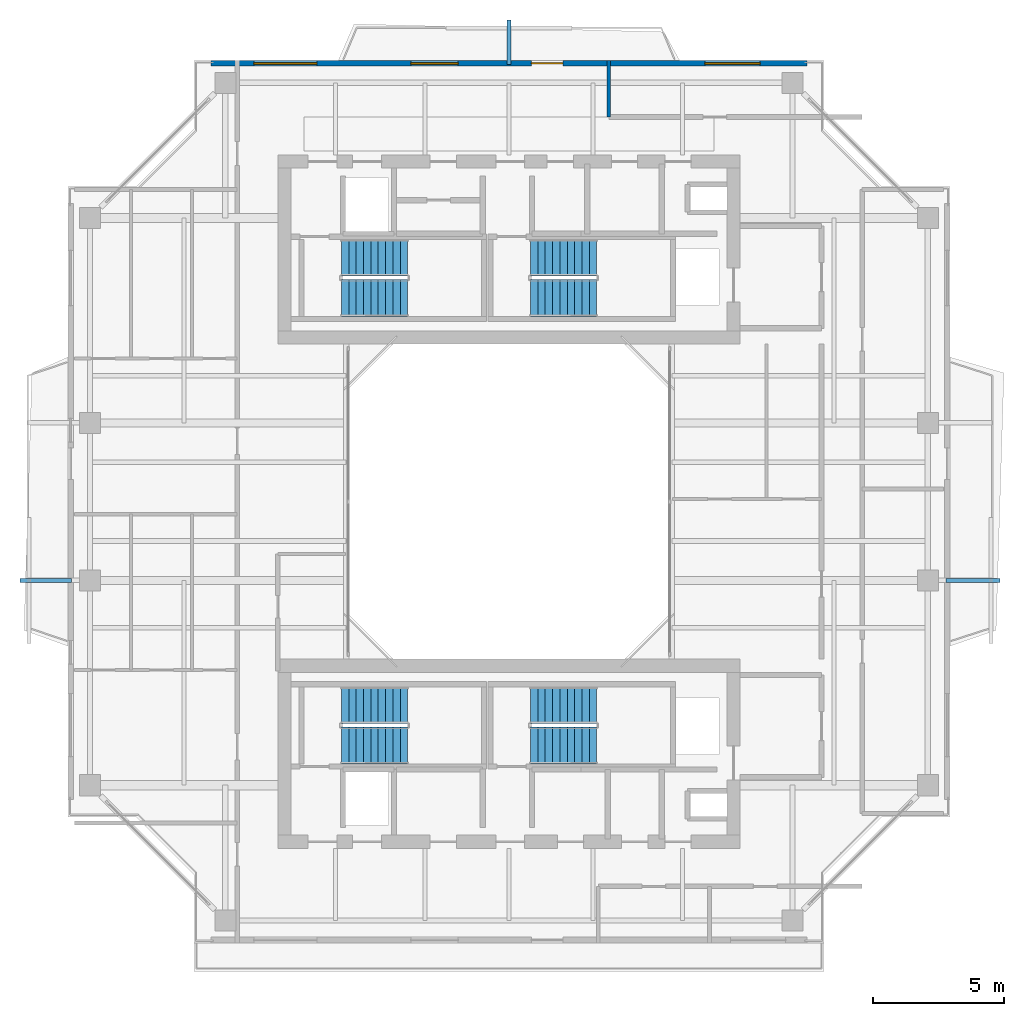
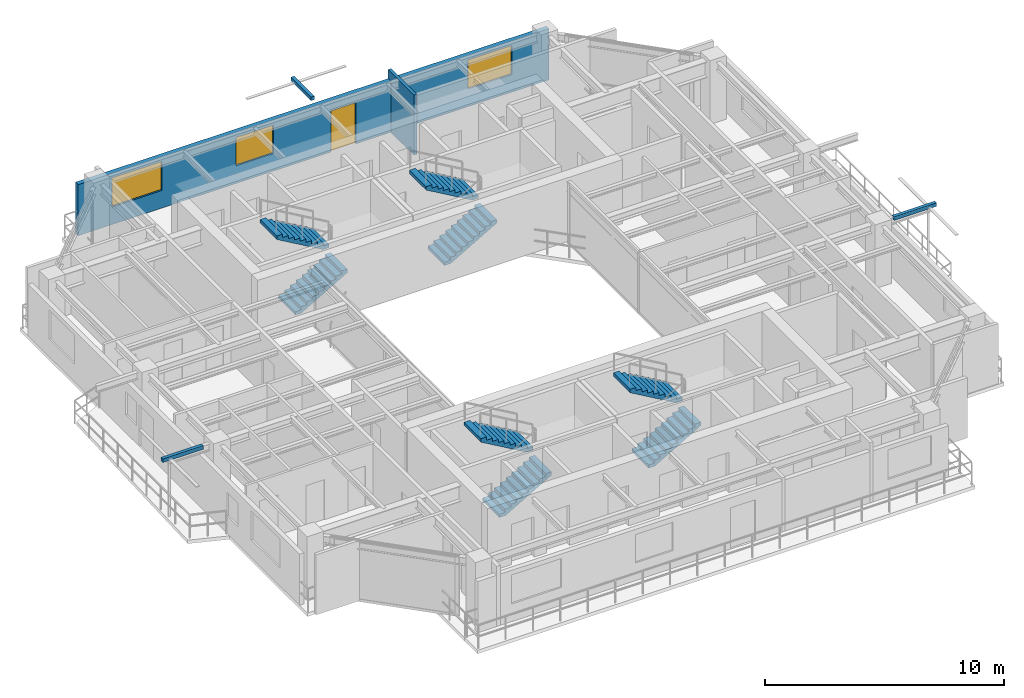
# One storey, part 13 of 16: 8 stair flights, 3 discrete accessories, 3 windows, 2 walls, 1 door, 4 openings, 4 elements without a shape of their own.
"""IFC4 building model written with IfcOpenShell, lengths in metres."""

from ifc_helpers import new_model, si_unit, direction, frame, frame_2d, origin, origin_2d, place, context, subcontext, project, spatial, polyline, rectangle, outline, extrude, source, transform, mapped, material, layer, layer_set, type_object, element, fill, aggregate, save


model = new_model("IFC4")

# Units and contexts
model_context = context("Model", 3, precision=1e-05, world=origin(), true_north=direction((0.0, 1.0)))
body_context = subcontext(model_context, "Body", "Model", "MODEL_VIEW")
ifc_project = project(units=[si_unit("LENGTHUNIT", "METRE"), si_unit("AREAUNIT", "SQUARE_METRE"), si_unit("VOLUMEUNIT", "CUBIC_METRE"), si_unit("PLANEANGLEUNIT", "RADIAN"), si_unit("MASSUNIT", "GRAM", prefix="KILO"), si_unit("THERMODYNAMICTEMPERATUREUNIT", "KELVIN"), si_unit("POWERUNIT", "WATT")], contexts=[model_context])

# Site, building, storey
site_placement = place(None, origin())
site = spatial("IfcSite", under=ifc_project, at=site_placement, CompositionType="ELEMENT")
building_placement = place(site_placement, origin())
building = spatial("IfcBuilding", under=site, at=building_placement, Name="Qiaomeng Ring Towers", CompositionType="ELEMENT")
storey_placement = place(building_placement, frame((0.0, 0.0, 190.5)))
storey = spatial("IfcBuildingStorey", under=building, at=storey_placement, Name="L55", CompositionType="ELEMENT", Elevation=190.5)

# Wall, openings, windows, door
ifc_material_1 = material(Name="Precast concrete C40", Category="concrete")
ifc_layer_1 = layer(ifc_material_1, 0.219970703125, Name="Precast concrete C40")
ifc_layer_set_1 = layer_set([ifc_layer_1], Name="Precast concrete C40")
wall_type_1 = type_object("IfcWallType", Name="ARC-WL-EW2", PredefinedType="STANDARD", material=ifc_layer_set_1)
wall_1_placement = place(storey_placement, frame((7.64990234375, 39.68994140625, 0.0), z_axis=(0.0, 0.0, 1.0), x_axis=(1.0, 0.0, 0.0)))
wall_1 = element("IfcWall", 1, at=wall_1_placement, inside=storey, type_object=wall_type_1, Name="L55 Tower 1 N Exterior Wall", PredefinedType="STANDARD", context=body_context, shape_type="SweptSolid", body=[
    extrude(rectangle(XDim=22.7001953125, YDim=0.219970703125, at=frame_2d((11.35009765625, 0.0))), origin(), (0.0, 0.0, 1.0), 2.610107421875),
])
opening_1_placement = place(wall_1_placement, frame((12.199951171875, 0.0, 0.0)))
opening_1 = element("IfcOpeningElement", 2, at=opening_1_placement, cuts=wall_1, Name="Opening BD1", PredefinedType="OPENING", context=body_context, shape_type="SweptSolid", body=[
    extrude(rectangle(XDim=1.199951171875, YDim=2.10009765625, at=frame_2d((0.60009765625, 1.050048828125))), frame((0.0, 0.119873046875, 0.0), z_axis=(0.0, -1.0, 0.0), x_axis=(1.0, 0.0, 0.0)), (0.0, 0.0, 1.0), 0.239990234375),
])
opening_2_placement = place(wall_1_placement, frame((1.636962890625, 0.0, 0.89990234375)))
opening_2 = element("IfcOpeningElement", 3, at=opening_2_placement, cuts=wall_1, Name="Opening WN6", PredefinedType="OPENING", context=body_context, shape_type="SweptSolid", body=[
    extrude(rectangle(XDim=2.39990234375, YDim=1.47998046875, at=frame_2d((1.199951171875, 0.739990234375))), frame((0.0, 0.119873046875, 0.0), z_axis=(0.0, -1.0, 0.0), x_axis=(1.0, 0.0, 0.0)), (0.0, 0.0, 1.0), 0.239990234375),
])
opening_3_placement = place(wall_1_placement, frame((7.612060546875, 0.0, 0.89990234375)))
opening_3 = element("IfcOpeningElement", 4, at=opening_3_placement, cuts=wall_1, Name="Opening WN1", PredefinedType="OPENING", context=body_context, shape_type="SweptSolid", body=[
    extrude(rectangle(XDim=1.800048828125, YDim=1.449951171875, at=frame_2d((0.89990234375, 0.72509765625))), frame((0.0, 0.119873046875, 0.0), z_axis=(0.0, -1.0, 0.0), x_axis=(1.0, 0.0, 0.0)), (0.0, 0.0, 1.0), 0.239990234375),
])
opening_4_placement = place(wall_1_placement, frame((18.81201171875, 0.0, 0.89990234375)))
opening_4 = element("IfcOpeningElement", 5, at=opening_4_placement, cuts=wall_1, Name="Opening WN4", PredefinedType="OPENING", context=body_context, shape_type="SweptSolid", body=[
    extrude(rectangle(XDim=2.10009765625, YDim=1.47998046875, at=frame_2d((1.050048828125, 0.739990234375))), frame((0.0, 0.119873046875, 0.0), z_axis=(0.0, -1.0, 0.0), x_axis=(1.0, 0.0, 0.0)), (0.0, 0.0, 1.0), 0.239990234375),
])
ifc_material_2 = material(Name="Low-E dark-grey laminated double glazing", Category="glass")
window_type_1 = type_object("IfcWindowType", Name="ARC-WN-4", PartitioningType="TRIPLE_PANEL_VERTICAL", PredefinedType="WINDOW", material=ifc_material_2)
shared_shape_1 = source(origin(), body_context, "Body", "SweptSolid", [
    extrude(rectangle(XDim=2.10009765625, YDim=1.47998046875, at=frame_2d((1.050048828125, 0.739990234375))), frame((0.0, 0.030029296875, 0.0), z_axis=(0.0, -1.0, 0.0), x_axis=(1.0, 0.0, 0.0)), (0.0, 0.0, 1.0), 0.06005859375),
])
window_1_placement = place(opening_4_placement, origin())
window_1 = element("IfcWindow", 6, at=window_1_placement, inside=storey, type_object=window_type_1, Name="L55 Exterior Window WN4", OverallHeight=1.47998046875, OverallWidth=2.10009765625, PartitioningType="TRIPLE_PANEL_VERTICAL", PredefinedType="WINDOW", context=body_context, shape_type="MappedRepresentation", body=[
    mapped(shared_shape_1, transform((0.0, 0.0, 0.0), x_axis=(1.0, 0.0, 0.0), y_axis=(0.0, 1.0, 0.0), z_axis=(0.0, 0.0, 1.0), scale=1.0)),
])
fill(opening_4, window_1)
window_type_2 = type_object("IfcWindowType", Name="ARC-WN-1", PartitioningType="DOUBLE_PANEL_VERTICAL", PredefinedType="WINDOW", material=ifc_material_2)
shared_shape_2 = source(origin(), body_context, "Body", "SweptSolid", [
    extrude(rectangle(XDim=1.800048828125, YDim=1.449951171875, at=frame_2d((0.89990234375, 0.72509765625))), frame((0.0, 0.030029296875, 0.0), z_axis=(0.0, -1.0, 0.0), x_axis=(1.0, 0.0, 0.0)), (0.0, 0.0, 1.0), 0.06005859375),
])
window_2_placement = place(opening_3_placement, origin())
window_2 = element("IfcWindow", 7, at=window_2_placement, inside=storey, type_object=window_type_2, Name="L55 Exterior Window WN1", OverallHeight=1.449951171875, OverallWidth=1.800048828125, PartitioningType="DOUBLE_PANEL_VERTICAL", PredefinedType="WINDOW", context=body_context, shape_type="MappedRepresentation", body=[
    mapped(shared_shape_2, transform((0.0, 0.0, 0.0), x_axis=(1.0, 0.0, 0.0), y_axis=(0.0, 1.0, 0.0), z_axis=(0.0, 0.0, 1.0), scale=1.0)),
])
fill(opening_3, window_2)
window_type_3 = type_object("IfcWindowType", Name="ARC-WN-6", PartitioningType="TRIPLE_PANEL_VERTICAL", PredefinedType="WINDOW", material=ifc_material_2)
shared_shape_3 = source(origin(), body_context, "Body", "SweptSolid", [
    extrude(rectangle(XDim=2.39990234375, YDim=1.47998046875, at=frame_2d((1.199951171875, 0.739990234375))), frame((0.0, 0.030029296875, 0.0), z_axis=(0.0, -1.0, 0.0), x_axis=(1.0, 0.0, 0.0)), (0.0, 0.0, 1.0), 0.06005859375),
])
window_3_placement = place(opening_2_placement, origin())
window_3 = element("IfcWindow", 8, at=window_3_placement, inside=storey, type_object=window_type_3, Name="L55 Exterior Window WN6", OverallHeight=1.47998046875, OverallWidth=2.39990234375, PartitioningType="TRIPLE_PANEL_VERTICAL", PredefinedType="WINDOW", context=body_context, shape_type="MappedRepresentation", body=[
    mapped(shared_shape_3, transform((0.0, 0.0, 0.0), x_axis=(1.0, 0.0, 0.0), y_axis=(0.0, 1.0, 0.0), z_axis=(0.0, 0.0, 1.0), scale=1.0)),
])
fill(opening_2, window_3)
door_type = type_object("IfcDoorType", Name="ARC-DR-BD1", OperationType="NOTDEFINED", PredefinedType="DOOR", material=ifc_material_2)
shared_shape_4 = source(origin(), body_context, "Body", "SweptSolid", [
    extrude(rectangle(XDim=1.199951171875, YDim=2.10009765625, at=frame_2d((0.60009765625, 1.050048828125))), frame((0.0, 0.02490234375, 0.0), z_axis=(0.0, -1.0, 0.0), x_axis=(1.0, 0.0, 0.0)), (0.0, 0.0, 1.0), 0.050048828125),
])
door_placement = place(opening_1_placement, origin())
door = element("IfcDoor", 9, at=door_placement, inside=storey, type_object=door_type, Name="L55 N Balcony Glazed Door", OperationType="SINGLE_SWING_LEFT", OverallHeight=2.10009765625, OverallWidth=1.199951171875, PredefinedType="DOOR", context=body_context, shape_type="MappedRepresentation", body=[
    mapped(shared_shape_4, transform((0.0, 0.0, 0.0), x_axis=(1.0, 0.0, 0.0), y_axis=(0.0, 1.0, 0.0), z_axis=(0.0, 0.0, 1.0), scale=1.0)),
])
fill(opening_1, door)

# Wall
ifc_material_3 = material(Name="Gypsum fireboard steel-stud partition", Category="steel")
ifc_layer_2 = layer(ifc_material_3, 0.14990234375, Name="Gypsum fireboard steel-stud partition")
ifc_layer_set_2 = layer_set([ifc_layer_2], Name="Gypsum fireboard steel-stud partition")
wall_type_2 = type_object("IfcWallType", Name="ARC-WL-PW3", PredefinedType="PARTITIONING", material=ifc_layer_set_2)
wall_2_placement = place(storey_placement, frame((22.800048828125, 37.64990234375, 0.0), z_axis=(0.0, 0.0, 1.0), x_axis=(0.0, 1.0, 0.0)))
element("IfcWall", 10, at=wall_2_placement, inside=storey, type_object=wall_type_2, Name="L55 Interior Wall PW3", PredefinedType="PARTITIONING", context=body_context, shape_type="SweptSolid", body=[
    extrude(rectangle(XDim=2.150146484375, YDim=0.14990234375, at=frame_2d((1.0751953125, 0.0))), origin(), (0.0, 0.0, 1.0), 3.070068359375),
])

# Stair, stair flights
stair_type = type_object("IfcStairType", Name="ARC-ST-325", PredefinedType="HALF_TURN_STAIR", material=ifc_material_1)
stair_1_placement = place(storey_placement, origin())
stair_1 = element("IfcStair", 11, at=stair_1_placement, inside=storey, type_object=stair_type, Name="L55 Tower 1 North Stair 1", PredefinedType="HALF_TURN_STAIR")
stair_flight_type = type_object("IfcStairFlightType", Name="ARC-ST-325-FL", PredefinedType="STRAIGHT", material=ifc_material_1)
shared_shape_5 = source(origin(), body_context, "Body", "SweptSolid", [
    extrude(outline(polyline([(0.0, 0.0), (0.0, 0.16259765625), (0.280029296875, 0.16259765625), (0.280029296875, 0.324951171875), (0.56005859375, 0.324951171875), (0.56005859375, 0.487548828125), (0.840087890625, 0.487548828125), (0.840087890625, 0.64990234375), (1.1201171875, 0.64990234375), (1.1201171875, 0.8125), (1.39990234375, 0.8125), (1.39990234375, 0.97509765625), (1.679931640625, 0.97509765625), (1.679931640625, 1.137451171875), (1.9599609375, 1.137451171875), (1.9599609375, 1.300048828125), (2.239990234375, 1.300048828125), (2.239990234375, 1.46240234375), (2.52001953125, 1.46240234375), (2.52001953125, 1.625), (2.52001953125, 1.2890625), (0.298583984375, 0.0), (0.0, 0.0)])), frame((0.0, 0.699951171875, 0.0), z_axis=(0.0, -1.0, 0.0), x_axis=(1.0, 0.0, 0.0)), (0.0, 0.0, 1.0), 1.39990234375),
])
stair_flight_1_placement = place(storey_placement, frame((12.6201171875, 30.75, 0.0), z_axis=(0.0, 0.0, 1.0), x_axis=(1.0, 0.0, 0.0)))
stair_flight_1 = element("IfcStairFlight", 12, at=stair_flight_1_placement, type_object=stair_flight_type, Name="ST1 flight 1", NumberOfRisers=10, NumberOfTreads=9, PredefinedType="STRAIGHT", RiserHeight=0.1625, TreadLength=0.28, context=body_context, shape_type="MappedRepresentation", body=[
    mapped(shared_shape_5, transform((0.0, 0.0, 0.0), x_axis=(1.0, 0.0, 0.0), y_axis=(0.0, 1.0, 0.0), z_axis=(0.0, 0.0, 1.0), scale=1.0)),
])
stair_flight_2_placement = place(storey_placement, frame((15.139892578125, 32.2900390625, 1.625), z_axis=(0.0, 0.0, 1.0), x_axis=(-1.0, 0.0, 0.0)))
stair_flight_2 = element("IfcStairFlight", 13, at=stair_flight_2_placement, type_object=stair_flight_type, Name="ST1 flight 2", NumberOfRisers=10, NumberOfTreads=9, PredefinedType="STRAIGHT", RiserHeight=0.1625, TreadLength=0.28, context=body_context, shape_type="MappedRepresentation", body=[
    mapped(shared_shape_5, transform((0.0, 0.0, 0.0), x_axis=(1.0, 0.0, 0.0), y_axis=(0.0, 1.0, 0.0), z_axis=(0.0, 0.0, 1.0), scale=1.0)),
])
aggregate(stair_1, [stair_flight_1, stair_flight_2])

stair_2_placement = place(storey_placement, origin())
stair_2 = element("IfcStair", 14, at=stair_2_placement, inside=storey, type_object=stair_type, Name="L55 Tower 1 North Stair 2", PredefinedType="HALF_TURN_STAIR")
stair_flight_3_placement = place(storey_placement, frame((19.820068359375, 30.75, 0.0), z_axis=(0.0, 0.0, 1.0), x_axis=(1.0, 0.0, 0.0)))
stair_flight_3 = element("IfcStairFlight", 15, at=stair_flight_3_placement, type_object=stair_flight_type, Name="ST2 flight 1", NumberOfRisers=10, NumberOfTreads=9, PredefinedType="STRAIGHT", RiserHeight=0.1625, TreadLength=0.28, context=body_context, shape_type="MappedRepresentation", body=[
    mapped(shared_shape_5, transform((0.0, 0.0, 0.0), x_axis=(1.0, 0.0, 0.0), y_axis=(0.0, 1.0, 0.0), z_axis=(0.0, 0.0, 1.0), scale=1.0)),
])
stair_flight_4_placement = place(storey_placement, frame((22.340087890625, 32.2900390625, 1.625), z_axis=(0.0, 0.0, 1.0), x_axis=(-1.0, 0.0, 0.0)))
stair_flight_4 = element("IfcStairFlight", 16, at=stair_flight_4_placement, type_object=stair_flight_type, Name="ST2 flight 2", NumberOfRisers=10, NumberOfTreads=9, PredefinedType="STRAIGHT", RiserHeight=0.1625, TreadLength=0.28, context=body_context, shape_type="MappedRepresentation", body=[
    mapped(shared_shape_5, transform((0.0, 0.0, 0.0), x_axis=(1.0, 0.0, 0.0), y_axis=(0.0, 1.0, 0.0), z_axis=(0.0, 0.0, 1.0), scale=1.0)),
])
aggregate(stair_2, [stair_flight_3, stair_flight_4])

stair_3_placement = place(storey_placement, origin())
stair_3 = element("IfcStair", 17, at=stair_3_placement, inside=storey, type_object=stair_type, Name="L55 Tower 1 South Stair 3", PredefinedType="HALF_TURN_STAIR")
stair_flight_5_placement = place(storey_placement, frame((12.6201171875, 13.7099609375, 0.0), z_axis=(0.0, 0.0, 1.0), x_axis=(1.0, 0.0, 0.0)))
stair_flight_5 = element("IfcStairFlight", 18, at=stair_flight_5_placement, type_object=stair_flight_type, Name="ST3 flight 1", NumberOfRisers=10, NumberOfTreads=9, PredefinedType="STRAIGHT", RiserHeight=0.1625, TreadLength=0.28, context=body_context, shape_type="MappedRepresentation", body=[
    mapped(shared_shape_5, transform((0.0, 0.0, 0.0), x_axis=(1.0, 0.0, 0.0), y_axis=(0.0, 1.0, 0.0), z_axis=(0.0, 0.0, 1.0), scale=1.0)),
])
stair_flight_6_placement = place(storey_placement, frame((15.139892578125, 15.25, 1.625), z_axis=(0.0, 0.0, 1.0), x_axis=(-1.0, 0.0, 0.0)))
stair_flight_6 = element("IfcStairFlight", 19, at=stair_flight_6_placement, type_object=stair_flight_type, Name="ST3 flight 2", NumberOfRisers=10, NumberOfTreads=9, PredefinedType="STRAIGHT", RiserHeight=0.1625, TreadLength=0.28, context=body_context, shape_type="MappedRepresentation", body=[
    mapped(shared_shape_5, transform((0.0, 0.0, 0.0), x_axis=(1.0, 0.0, 0.0), y_axis=(0.0, 1.0, 0.0), z_axis=(0.0, 0.0, 1.0), scale=1.0)),
])
aggregate(stair_3, [stair_flight_5, stair_flight_6])

stair_4_placement = place(storey_placement, origin())
stair_4 = element("IfcStair", 20, at=stair_4_placement, inside=storey, type_object=stair_type, Name="L55 Tower 1 South Stair 4", PredefinedType="HALF_TURN_STAIR")
stair_flight_7_placement = place(storey_placement, frame((19.820068359375, 13.7099609375, 0.0), z_axis=(0.0, 0.0, 1.0), x_axis=(1.0, 0.0, 0.0)))
stair_flight_7 = element("IfcStairFlight", 21, at=stair_flight_7_placement, type_object=stair_flight_type, Name="ST4 flight 1", NumberOfRisers=10, NumberOfTreads=9, PredefinedType="STRAIGHT", RiserHeight=0.1625, TreadLength=0.28, context=body_context, shape_type="MappedRepresentation", body=[
    mapped(shared_shape_5, transform((0.0, 0.0, 0.0), x_axis=(1.0, 0.0, 0.0), y_axis=(0.0, 1.0, 0.0), z_axis=(0.0, 0.0, 1.0), scale=1.0)),
])
stair_flight_8_placement = place(storey_placement, frame((22.340087890625, 15.25, 1.625), z_axis=(0.0, 0.0, 1.0), x_axis=(-1.0, 0.0, 0.0)))
stair_flight_8 = element("IfcStairFlight", 22, at=stair_flight_8_placement, type_object=stair_flight_type, Name="ST4 flight 2", NumberOfRisers=10, NumberOfTreads=9, PredefinedType="STRAIGHT", RiserHeight=0.1625, TreadLength=0.28, context=body_context, shape_type="MappedRepresentation", body=[
    mapped(shared_shape_5, transform((0.0, 0.0, 0.0), x_axis=(1.0, 0.0, 0.0), y_axis=(0.0, 1.0, 0.0), z_axis=(0.0, 0.0, 1.0), scale=1.0)),
])
aggregate(stair_4, [stair_flight_7, stair_flight_8])

# Discrete accessories
ifc_material_4 = material(Name="Stainless steel 316", Category="steel")
discrete_accessory_type = type_object("IfcDiscreteAccessoryType", Name="ARC-ACC-BRACKET", PredefinedType="BRACKET", material=ifc_material_4)
shared_shape_6 = source(origin(), body_context, "Body", "SweptSolid", [
    extrude(rectangle(XDim=2.050048828125, YDim=0.159912109375, at=origin_2d()), origin(), (0.0, 0.0, 1.0), 0.179931640625),
])
discrete_accessory_1_placement = place(storey_placement, frame((36.675048828125, 20.0, 2.89990234375), z_axis=(0.0, 0.0, 1.0), x_axis=(1.0, 0.0, 0.0)))
element("IfcDiscreteAccessory", 23, at=discrete_accessory_1_placement, inside=storey, type_object=discrete_accessory_type, Name="L55 Stainless Outer-Skin Tie Bracket E", PredefinedType="BRACKET", context=body_context, shape_type="MappedRepresentation", body=[
    mapped(shared_shape_6, transform((0.0, 0.0, 0.0), x_axis=(1.0, 0.0, 0.0), y_axis=(0.0, 1.0, 0.0), z_axis=(0.0, 0.0, 1.0), scale=1.0)),
])
shared_shape_7 = source(origin(), body_context, "Body", "SweptSolid", [
    extrude(rectangle(XDim=0.159912109375, YDim=1.68994140625, at=origin_2d()), origin(), (0.0, 0.0, 1.0), 0.179931640625),
])
discrete_accessory_2_placement = place(storey_placement, frame((19.0, 40.4951171875, 2.89990234375), z_axis=(0.0, 0.0, 1.0), x_axis=(1.0, 0.0, 0.0)))
element("IfcDiscreteAccessory", 24, at=discrete_accessory_2_placement, inside=storey, type_object=discrete_accessory_type, Name="L55 Stainless Outer-Skin Tie Bracket N", PredefinedType="BRACKET", context=body_context, shape_type="MappedRepresentation", body=[
    mapped(shared_shape_7, transform((0.0, 0.0, 0.0), x_axis=(1.0, 0.0, 0.0), y_axis=(0.0, 1.0, 0.0), z_axis=(0.0, 0.0, 1.0), scale=1.0)),
])
shared_shape_8 = source(origin(), body_context, "Body", "SweptSolid", [
    extrude(rectangle(XDim=1.969970703125, YDim=0.159912109375, at=origin_2d()), origin(), (0.0, 0.0, 1.0), 0.179931640625),
])
discrete_accessory_3_placement = place(storey_placement, frame((1.364990234375, 20.0, 2.89990234375), z_axis=(0.0, 0.0, 1.0), x_axis=(1.0, 0.0, 0.0)))
element("IfcDiscreteAccessory", 25, at=discrete_accessory_3_placement, inside=storey, type_object=discrete_accessory_type, Name="L55 Stainless Outer-Skin Tie Bracket W", PredefinedType="BRACKET", context=body_context, shape_type="MappedRepresentation", body=[
    mapped(shared_shape_8, transform((0.0, 0.0, 0.0), x_axis=(1.0, 0.0, 0.0), y_axis=(0.0, 1.0, 0.0), z_axis=(0.0, 0.0, 1.0), scale=1.0)),
])

save(model, "model.ifc")
